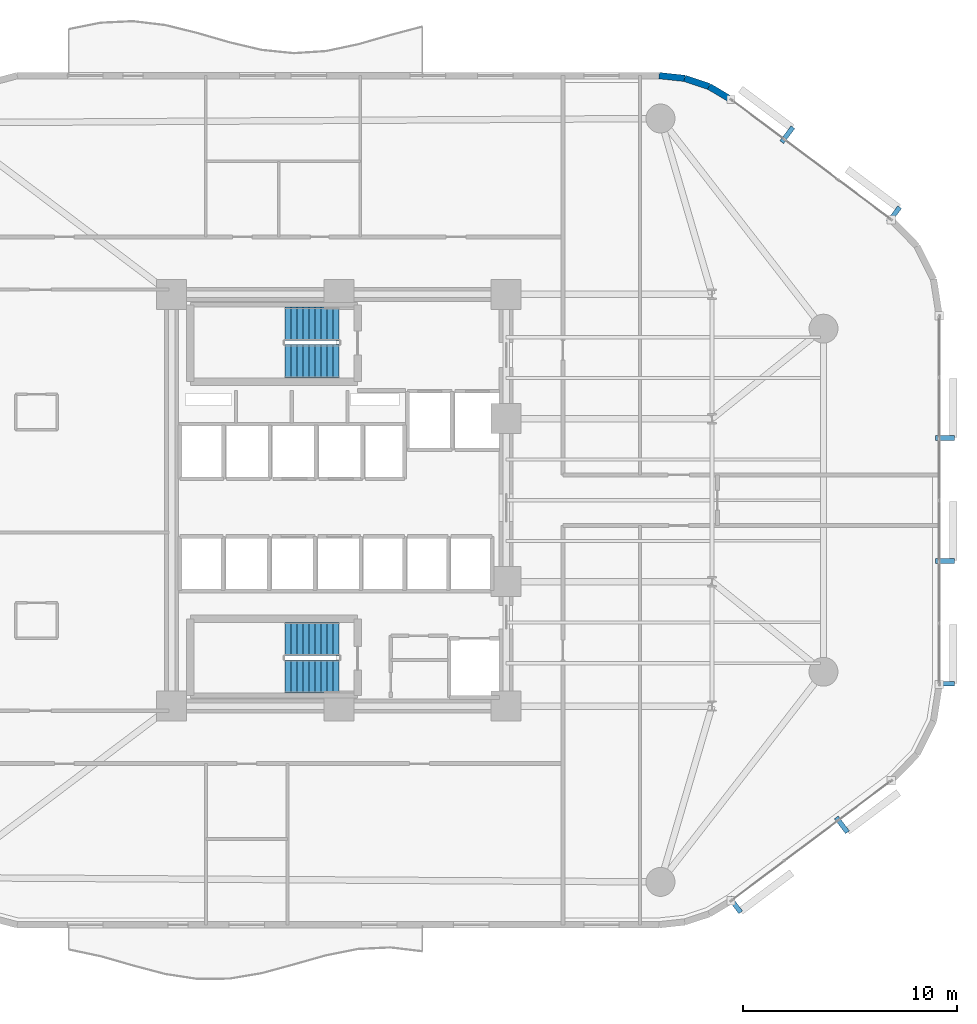
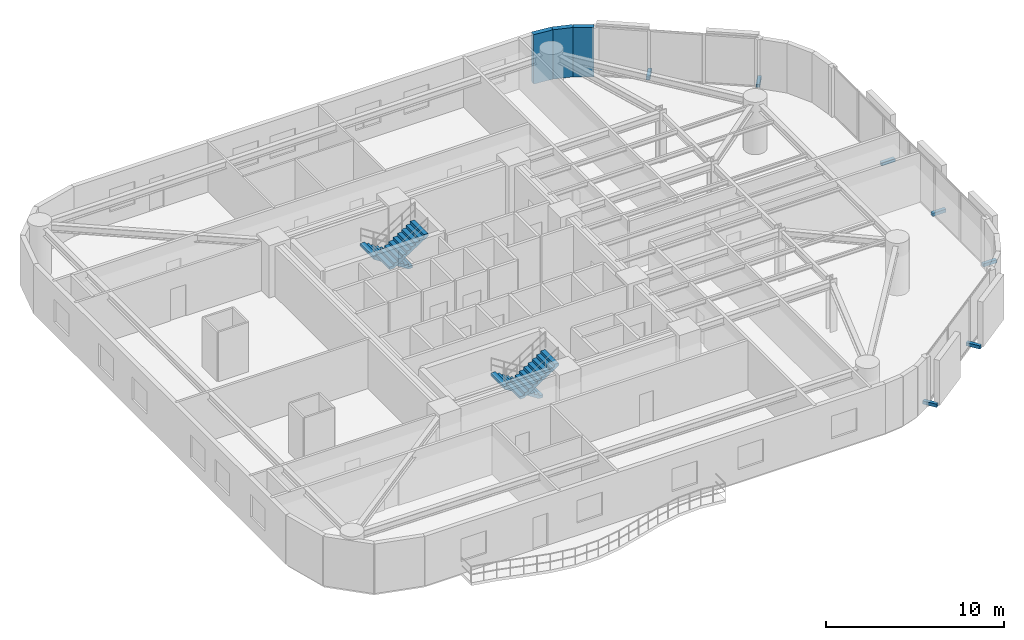
# One storey, part 13 of 15: 7 discrete accessories, 4 stair flights, 3 walls, 2 elements without a shape of their own.
"""IFC4 building model written with IfcOpenShell, lengths in metres."""

import ifcopenshell
import ifcopenshell.guid

model = None  # the IFC model being written
_history = None  # IfcOwnerHistory: only IFC2X3 demands one
_inside = {}  # id of a spatial element -> (the spatial element, [elements in it])
_under = {}  # id of a project, library or spatial element -> (it, [spatial elements below it])
_declared = {}  # id of a project -> (the project, [libraries it declares])
_typed = {}  # id of a type object -> (the type object, [elements of that type])
_made_of = {}  # id of a material, layer set ... -> (it, [elements and type objects made of it])


def new_model(schema):
    """Start an empty IFC model of exactly this schema.

    Asked for "IFC4X3", IfcOpenShell would pick the latest addendum, in which some entities
    have other attributes; the version numbers below select the first issue.
    IFC2X3 requires an IfcOwnerHistory on every rooted entity: one is made here for all.
    """
    global model, _history
    if schema == "IFC4X3":
        model = ifcopenshell.file(schema_version=(4, 3, 0, 0))
    else:
        model = ifcopenshell.file(schema=schema)
    _inside.clear()
    _under.clear()
    _declared.clear()
    _typed.clear()
    _made_of.clear()
    _history = None
    if model.schema == "IFC2X3":
        org = make("IfcOrganization", Name="unknown")
        user = make(
            "IfcPersonAndOrganization",
            ThePerson=make("IfcPerson", FamilyName="unknown"),
            TheOrganization=org,
        )
        app = make(
            "IfcApplication",
            ApplicationDeveloper=org,
            Version="unknown",
            ApplicationFullName="unknown",
            ApplicationIdentifier="unknown",
        )
        _history = make(
            "IfcOwnerHistory",
            OwningUser=user,
            OwningApplication=app,
            ChangeAction="ADDED",
            CreationDate=0,
        )
    return model


def make(cls, **values):
    """One entity of the class cls with the attributes given. An attribute that is None is left unset."""
    return model.create_entity(
        cls, **{name: value for name, value in values.items() if value is not None}
    )


def rooted(cls, **values):
    """An entity with a GlobalId (a new one), such as an element, a storey or a relation."""
    return make(cls, GlobalId=ifcopenshell.guid.new(), OwnerHistory=_history, **values)


def si_unit(unit_type, name, prefix=None):
    """IfcSIUnit, for example si_unit("LENGTHUNIT", "METRE", prefix="MILLI")."""
    return make("IfcSIUnit", UnitType=unit_type, Prefix=prefix, Name=name)


def assignment(units):
    """IfcUnitAssignment: the units of a project."""
    return None if units is None else make("IfcUnitAssignment", Units=units)


def point(xyz):
    """IfcCartesianPoint."""
    return None if xyz is None else make("IfcCartesianPoint", Coordinates=xyz)


def direction(xyz):
    """IfcDirection."""
    return None if xyz is None else make("IfcDirection", DirectionRatios=xyz)


def frame(location, z_axis=None, x_axis=None):
    """IfcAxis2Placement3D, a coordinate frame: its origin and axes. An axis left out is left unset."""
    return make(
        "IfcAxis2Placement3D",
        Location=point(location),
        Axis=direction(z_axis),
        RefDirection=direction(x_axis),
    )


def frame_2d(location, x_axis=None):
    """IfcAxis2Placement2D, a coordinate frame in the plane: its origin and x axis."""
    return make(
        "IfcAxis2Placement2D", Location=point(location), RefDirection=direction(x_axis)
    )


def origin():
    """The frame at (0, 0, 0) with its axes left unset."""
    return frame((0.0, 0.0, 0.0))


def origin_2d():
    """The frame at (0, 0) in the plane with its x axis left unset."""
    return frame_2d((0.0, 0.0))


def place(relative_to, where):
    """IfcLocalPlacement: puts the frame where relative to a parent placement (None: the world)."""
    return make(
        "IfcLocalPlacement", PlacementRelTo=relative_to, RelativePlacement=where
    )


def context(
    kind, dimensions, precision=None, world=None, true_north=None, identifier=None
):
    """IfcGeometricRepresentationContext, for example the 3D "Model" context."""
    return make(
        "IfcGeometricRepresentationContext",
        ContextIdentifier=identifier,
        ContextType=kind,
        CoordinateSpaceDimension=dimensions,
        Precision=precision,
        WorldCoordinateSystem=world,
        TrueNorth=true_north,
    )


def subcontext(parent, identifier, kind, view, scale=None):
    """IfcGeometricRepresentationSubContext, for example "Body" below "Model"."""
    return make(
        "IfcGeometricRepresentationSubContext",
        ContextIdentifier=identifier,
        ContextType=kind,
        ParentContext=parent,
        TargetScale=scale,
        TargetView=view,
    )


def project(units=None, contexts=None):
    """IfcProject with its units and contexts."""
    return rooted(
        "IfcProject",
        Name="project",
        RepresentationContexts=contexts,
        UnitsInContext=assignment(units),
    )


def spatial(cls, under=None, at=None, **own):
    """A site, building, storey or space (cls), placed at a placement, below another one or the project."""
    s = rooted(cls, ObjectPlacement=at, **own)
    if under is not None:
        _under.setdefault(under.id(), (under, []))[1].append(s)
    return s


def polyline(points):
    """IfcPolyline through the points."""
    return make("IfcPolyline", Points=[point(p) for p in points])


def profile(cls, at=None, kind="AREA", **sizes):
    """A parametric profile (cls). Its sizes go by their IFC names, for example OverallWidth=200.0."""
    return make(cls, ProfileType=kind, Position=at, **sizes)


def rectangle(**sizes):
    """IfcRectangleProfileDef."""
    return profile("IfcRectangleProfileDef", **sizes)


def outline(outer, holes=None, kind="AREA"):
    """IfcArbitraryClosedProfileDef: a profile drawn as a closed curve; with holes, ...WithVoids."""
    if holes is None:
        return make("IfcArbitraryClosedProfileDef", ProfileType=kind, OuterCurve=outer)
    return make(
        "IfcArbitraryProfileDefWithVoids",
        ProfileType=kind,
        OuterCurve=outer,
        InnerCurves=holes,
    )


def extrude(swept, where, along, depth):
    """IfcExtrudedAreaSolid: the profile swept, set in the frame where, extruded along a direction by depth."""
    return make(
        "IfcExtrudedAreaSolid",
        SweptArea=swept,
        Position=where,
        ExtrudedDirection=direction(along),
        Depth=depth,
    )


def shape(context_of_items, identifier, shape_type, items):
    """IfcShapeRepresentation: the items that make up one representation, for example the "Body"."""
    return make(
        "IfcShapeRepresentation",
        ContextOfItems=context_of_items,
        RepresentationIdentifier=identifier,
        RepresentationType=shape_type,
        Items=items,
    )


def material(Name=None, Category=None):
    """IfcMaterial."""
    return make("IfcMaterial", Name=Name, Category=Category)


def layer(
    of_material, thickness, ventilated=None, Name=None, Category=None, Priority=None
):
    """IfcMaterialLayer: one layer of a wall or slab, of a material (None: an air gap)."""
    return make(
        "IfcMaterialLayer",
        Material=of_material,
        LayerThickness=thickness,
        IsVentilated=ventilated,
        Name=Name,
        Category=Category,
        Priority=Priority,
    )


def layer_set(layers, Name=None):
    """IfcMaterialLayerSet."""
    return make("IfcMaterialLayerSet", MaterialLayers=layers, LayerSetName=Name)


def made_of(thing, what):
    """Note that an element or type object is made of a material, layer set ...; save() writes the relation."""
    if what is not None:
        _made_of.setdefault(what.id(), (what, []))[1].append(thing)
    return thing


def type_object(cls, material=None, **own):
    """A type object (cls), such as IfcWallType, which elements share."""
    return made_of(rooted(cls, **own), material)


def element(
    cls,
    number,
    at=None,
    inside=None,
    cuts=None,
    type_object=None,
    material=None,
    context=None,
    identifier="Body",
    shape_type=None,
    held_by="IfcProductDefinitionShape",
    body=None,
    shapes=None,
    **own,
):
    """One element of the class cls, such as IfcWall. Its Tag is "e" and its number.

    at: its placement. inside: the storey or other place that contains it. cuts: it is an
    opening in that element (IfcRelVoidsElement). A single representation is given by context,
    identifier, shape_type and body (its items); several are given by shapes. held_by: the class
    of the entity that holds the representations. save() writes the other relations.
    """
    e = rooted(cls, Tag="e%d" % number, ObjectPlacement=at, **own)
    if body is not None:
        shapes = [shape(context, identifier, shape_type, body)]
    if shapes is not None:
        e.Representation = make(held_by, Representations=shapes)
    if inside is not None:
        _inside.setdefault(inside.id(), (inside, []))[1].append(e)
    if cuts is not None:
        rooted(
            "IfcRelVoidsElement", RelatingBuildingElement=cuts, RelatedOpeningElement=e
        )
    if type_object is not None:
        _typed.setdefault(type_object.id(), (type_object, []))[1].append(e)
    return made_of(e, material)


def aggregate(whole, parts):
    """IfcRelAggregates: a whole, such as a stair, and the parts it consists of."""
    return rooted("IfcRelAggregates", RelatingObject=whole, RelatedObjects=parts)


def save(model, path):
    """Write the relations noted so far, then the file.

    IfcRelAggregates (storeys below a building ...), IfcRelContainedInSpatialStructure (elements
    in a storey), IfcRelDefinesByType, IfcRelAssociatesMaterial and IfcRelDeclares: one each for
    every whole, place, type object, material and project.
    """
    for whole, parts in _under.values():
        aggregate(whole, parts)
    for where, things in _inside.values():
        rooted(
            "IfcRelContainedInSpatialStructure",
            RelatedElements=things,
            RelatingStructure=where,
        )
    for kind, things in _typed.values():
        rooted("IfcRelDefinesByType", RelatedObjects=things, RelatingType=kind)
    for what, things in _made_of.values():
        rooted("IfcRelAssociatesMaterial", RelatedObjects=things, RelatingMaterial=what)
    for by, libraries in _declared.values():
        rooted("IfcRelDeclares", RelatingContext=by, RelatedDefinitions=libraries)
    model.write(path)


model = new_model("IFC4")

# Units and contexts
model_context = context("Model", 3, precision=1e-05, world=origin(), true_north=direction((0.0, 1.0)))
body_context = subcontext(model_context, "Body", "Model", "MODEL_VIEW")
ifc_project = project(units=[si_unit("LENGTHUNIT", "METRE"), si_unit("AREAUNIT", "SQUARE_METRE"), si_unit("VOLUMEUNIT", "CUBIC_METRE"), si_unit("PLANEANGLEUNIT", "RADIAN"), si_unit("MASSUNIT", "GRAM", prefix="KILO")], contexts=[model_context])

# Site, building, storey
site_placement = place(None, origin())
site = spatial("IfcSite", under=ifc_project, at=site_placement, CompositionType="ELEMENT")
building_placement = place(site_placement, origin())
building = spatial("IfcBuilding", under=site, at=building_placement, Name="An Khanh Terracotta Commons", CompositionType="ELEMENT")
storey_placement = place(building_placement, frame((0.0, 0.0, 86.300048828125)))
storey = spatial("IfcBuildingStorey", under=building, at=storey_placement, Name="L22", CompositionType="ELEMENT", Elevation=86.300048828125)

# Walls
ifc_material_1 = material(Name="Precast concrete C40/50", Category="concrete")
ifc_layer = layer(ifc_material_1, 0.300048828125, Name="Precast concrete C40/50")
ifc_layer_set = layer_set([ifc_layer], Name="Precast concrete C40/50")
wall_type = type_object("IfcWallType", Name="WALL-EXT-300", PredefinedType="SOLIDWALL", material=ifc_layer_set)
wall_1_placement = place(storey_placement, frame((47.693115234375, 42.679931640625, 0.0), z_axis=(0.0, 0.0, 1.0), x_axis=(-0.859320591642, 0.511437308749, 0.0)))
element("IfcWall", 1, at=wall_1_placement, inside=storey, type_object=wall_type, Name="L22 Insulated Terracotta Exterior Wall 17", PredefinedType="SOLIDWALL", context=body_context, shape_type="SweptSolid", body=[
    extrude(rectangle(XDim=1.19873046875, YDim=0.300048828125, at=frame_2d((0.599365234375, 0.0))), origin(), (0.0, 0.0, 1.0), 3.39990234375),
])
wall_2_placement = place(storey_placement, frame((46.6630859375, 43.29296875, 0.0), z_axis=(0.0, 0.0, 1.0), x_axis=(-0.948744332129, 0.316044604847, 0.0)))
element("IfcWall", 2, at=wall_2_placement, inside=storey, type_object=wall_type, Name="L22 Insulated Terracotta Exterior Wall 18", PredefinedType="SOLIDWALL", context=body_context, shape_type="SweptSolid", body=[
    extrude(rectangle(XDim=1.19970703125, YDim=0.300048828125, at=frame_2d((0.599853515625, 0.0))), origin(), (0.0, 0.0, 1.0), 3.39990234375),
])
wall_3_placement = place(storey_placement, frame((45.52490234375, 43.672119140625, 0.0), z_axis=(0.0, 0.0, 1.0), x_axis=(-0.994289103787, 0.106720092254, 0.0)))
element("IfcWall", 3, at=wall_3_placement, inside=storey, type_object=wall_type, Name="L22 Insulated Terracotta Exterior Wall 19", PredefinedType="SOLIDWALL", context=body_context, shape_type="SweptSolid", body=[
    extrude(rectangle(XDim=1.19873046875, YDim=0.300048828125, at=frame_2d((0.599365234375, 0.0))), origin(), (0.0, 0.0, 1.0), 3.39990234375),
])

# Stair, stair flights
stair_type = type_object("IfcStairType", Name="STAIR-CORE-1550", PredefinedType="HALF_TURN_STAIR", material=ifc_material_1)
stair_1_placement = place(storey_placement, origin())
stair_1 = element("IfcStair", 4, at=stair_1_placement, inside=storey, type_object=stair_type, Name="L22 Core Smokeproof Exit Stair ST-01", PredefinedType="HALF_TURN_STAIR")
stair_flight_type = type_object("IfcStairFlightType", Name="FLIGHT-CORE-1550", PredefinedType="STRAIGHT", material=ifc_material_1)
stair_flight_1_placement = place(storey_placement, frame((29.409912109375, 32.22509765625, 0.0), z_axis=(0.0, 0.0, 1.0), x_axis=(-1.0, 0.0, 0.0)))
stair_flight_1 = element("IfcStairFlight", 5, at=stair_flight_1_placement, type_object=stair_flight_type, Name="ST-01 flight 1", NumberOfRisers=10, NumberOfTreads=9, PredefinedType="STRAIGHT", RiserHeight=0.18, TreadLength=0.28, context=body_context, shape_type="SweptSolid", body=[
    extrude(outline(polyline([(0.0, 0.0), (0.0, 0.179931640625), (0.280029296875, 0.179931640625), (0.280029296875, 0.360107421875), (0.56005859375, 0.360107421875), (0.56005859375, 0.5400390625), (0.840087890625, 0.5400390625), (0.840087890625, 0.719970703125), (1.1201171875, 0.719970703125), (1.1201171875, 0.89990234375), (1.39990234375, 0.89990234375), (1.39990234375, 1.080078125), (1.679931640625, 1.080078125), (1.679931640625, 1.260009765625), (1.9599609375, 1.260009765625), (1.9599609375, 1.43994140625), (2.239990234375, 1.43994140625), (2.239990234375, 1.6201171875), (2.52001953125, 1.6201171875), (2.52001953125, 1.800048828125), (2.52001953125, 1.44189453125), (0.277099609375, 0.0), (0.0, 0.0)])), frame((0.0, 0.77490234375, 0.0), z_axis=(0.0, -1.0, 0.0), x_axis=(1.0, 0.0, 0.0)), (0.0, 0.0, 1.0), 1.550048828125),
])
stair_flight_2_placement = place(storey_placement, frame((26.889892578125, 30.47509765625, 1.800048828125), z_axis=(0.0, 0.0, 1.0), x_axis=(1.0, 0.0, 0.0)))
stair_flight_2 = element("IfcStairFlight", 6, at=stair_flight_2_placement, type_object=stair_flight_type, Name="ST-01 flight 2", NumberOfRisers=10, NumberOfTreads=9, PredefinedType="STRAIGHT", RiserHeight=0.18, TreadLength=0.28, context=body_context, shape_type="SweptSolid", body=[
    extrude(outline(polyline([(0.0, 0.0), (0.0, 0.179931640625), (0.280029296875, 0.179931640625), (0.280029296875, 0.360107421875), (0.56005859375, 0.360107421875), (0.56005859375, 0.5400390625), (0.840087890625, 0.5400390625), (0.840087890625, 0.719970703125), (1.1201171875, 0.719970703125), (1.1201171875, 0.89990234375), (1.39990234375, 0.89990234375), (1.39990234375, 1.080078125), (1.679931640625, 1.080078125), (1.679931640625, 1.260009765625), (1.9599609375, 1.260009765625), (1.9599609375, 1.43994140625), (2.239990234375, 1.43994140625), (2.239990234375, 1.6201171875), (2.52001953125, 1.6201171875), (2.52001953125, 1.800048828125), (2.52001953125, 1.44189453125), (0.277099609375, 0.0), (0.0, 0.0)])), frame((0.0, 0.77490234375, 0.0), z_axis=(0.0, -1.0, 0.0), x_axis=(1.0, 0.0, 0.0)), (0.0, 0.0, 1.0), 1.550048828125),
])
aggregate(stair_1, [stair_flight_1, stair_flight_2])

stair_2_placement = place(storey_placement, origin())
stair_2 = element("IfcStair", 7, at=stair_2_placement, inside=storey, type_object=stair_type, Name="L22 Core Smokeproof Exit Stair ST-02", PredefinedType="HALF_TURN_STAIR")
stair_flight_3_placement = place(storey_placement, frame((29.409912109375, 17.52490234375, 0.0), z_axis=(0.0, 0.0, 1.0), x_axis=(-1.0, 0.0, 0.0)))
stair_flight_3 = element("IfcStairFlight", 8, at=stair_flight_3_placement, type_object=stair_flight_type, Name="ST-02 flight 1", NumberOfRisers=10, NumberOfTreads=9, PredefinedType="STRAIGHT", RiserHeight=0.18, TreadLength=0.28, context=body_context, shape_type="SweptSolid", body=[
    extrude(outline(polyline([(0.0, 0.0), (0.0, 0.179931640625), (0.280029296875, 0.179931640625), (0.280029296875, 0.360107421875), (0.56005859375, 0.360107421875), (0.56005859375, 0.5400390625), (0.840087890625, 0.5400390625), (0.840087890625, 0.719970703125), (1.1201171875, 0.719970703125), (1.1201171875, 0.89990234375), (1.39990234375, 0.89990234375), (1.39990234375, 1.080078125), (1.679931640625, 1.080078125), (1.679931640625, 1.260009765625), (1.9599609375, 1.260009765625), (1.9599609375, 1.43994140625), (2.239990234375, 1.43994140625), (2.239990234375, 1.6201171875), (2.52001953125, 1.6201171875), (2.52001953125, 1.800048828125), (2.52001953125, 1.44189453125), (0.277099609375, 0.0), (0.0, 0.0)])), frame((0.0, 0.77490234375, 0.0), z_axis=(0.0, -1.0, 0.0), x_axis=(1.0, 0.0, 0.0)), (0.0, 0.0, 1.0), 1.550048828125),
])
stair_flight_4_placement = place(storey_placement, frame((26.889892578125, 15.77490234375, 1.800048828125), z_axis=(0.0, 0.0, 1.0), x_axis=(1.0, 0.0, 0.0)))
stair_flight_4 = element("IfcStairFlight", 9, at=stair_flight_4_placement, type_object=stair_flight_type, Name="ST-02 flight 2", NumberOfRisers=10, NumberOfTreads=9, PredefinedType="STRAIGHT", RiserHeight=0.18, TreadLength=0.28, context=body_context, shape_type="SweptSolid", body=[
    extrude(outline(polyline([(0.0, 0.0), (0.0, 0.179931640625), (0.280029296875, 0.179931640625), (0.280029296875, 0.360107421875), (0.56005859375, 0.360107421875), (0.56005859375, 0.5400390625), (0.840087890625, 0.5400390625), (0.840087890625, 0.719970703125), (1.1201171875, 0.719970703125), (1.1201171875, 0.89990234375), (1.39990234375, 0.89990234375), (1.39990234375, 1.080078125), (1.679931640625, 1.080078125), (1.679931640625, 1.260009765625), (1.9599609375, 1.260009765625), (1.9599609375, 1.43994140625), (2.239990234375, 1.43994140625), (2.239990234375, 1.6201171875), (2.52001953125, 1.6201171875), (2.52001953125, 1.800048828125), (2.52001953125, 1.44189453125), (0.277099609375, 0.0), (0.0, 0.0)])), frame((0.0, 0.77490234375, 0.0), z_axis=(0.0, -1.0, 0.0), x_axis=(1.0, 0.0, 0.0)), (0.0, 0.0, 1.0), 1.550048828125),
])
aggregate(stair_2, [stair_flight_3, stair_flight_4])

# Discrete accessories
ifc_material_2 = material(Name="Stainless Steel Grade 316L", Category="steel")
discrete_accessory_type = type_object("IfcDiscreteAccessoryType", Name="Stainless Outrigger Facade Bracket", PredefinedType="BRACKET", material=ifc_material_2)
for number, where, z_axis, x_axis, name in (
    (10, (47.8798828125, 5.12890625, 0.06982421875), (0.0, 0.0, 1.0), (0.800012856594, 0.599982857492, 0.0), "L22 Terracotta Screen Outrigger Bracket 1"),
    (11, (52.85791015625, 8.862060546875, 0.06982421875), (0.0, 0.0, 1.0), (0.800012856594, 0.599982857492, 0.0), "L22 Terracotta Screen Outrigger Bracket 3"),
    (12, (57.6650390625, 15.43505859375, 0.06982421875), (0.0, 0.0, 1.0), (0.0, 1.0, 0.0), "L22 Terracotta Screen Outrigger Bracket 1"),
    (13, (57.6650390625, 21.16796875, 0.06982421875), (0.0, 0.0, 1.0), (0.0, 1.0, 0.0), "L22 Terracotta Screen Outrigger Bracket 3"),
    (14, (57.6650390625, 26.902099609375, 0.06982421875), (0.0, 0.0, 1.0), (0.0, 1.0, 0.0), "L22 Terracotta Screen Outrigger Bracket 5"),
    (15, (55.291015625, 37.31298828125, 0.06982421875), (0.0, 0.0, 1.0), (-0.800012856594, 0.599982857492, 0.0), "L22 Terracotta Screen Outrigger Bracket 1"),
    (16, (50.31298828125, 41.0458984375, 0.06982421875), (0.0, 0.0, 1.0), (-0.800012856594, 0.599982857492, 0.0), "L22 Terracotta Screen Outrigger Bracket 3"),
):
    element("IfcDiscreteAccessory", number, at=place(storey_placement, frame(where, z_axis=z_axis, x_axis=x_axis)), inside=storey, type_object=discrete_accessory_type, Name=name, PredefinedType="BRACKET", context=body_context, shape_type="SweptSolid", body=[
        extrude(rectangle(XDim=0.219970703125, YDim=0.8701171875, at=origin_2d()), origin(), (0.0, 0.0, 1.0), 0.219970703125),
    ])

save(model, "model.ifc")
